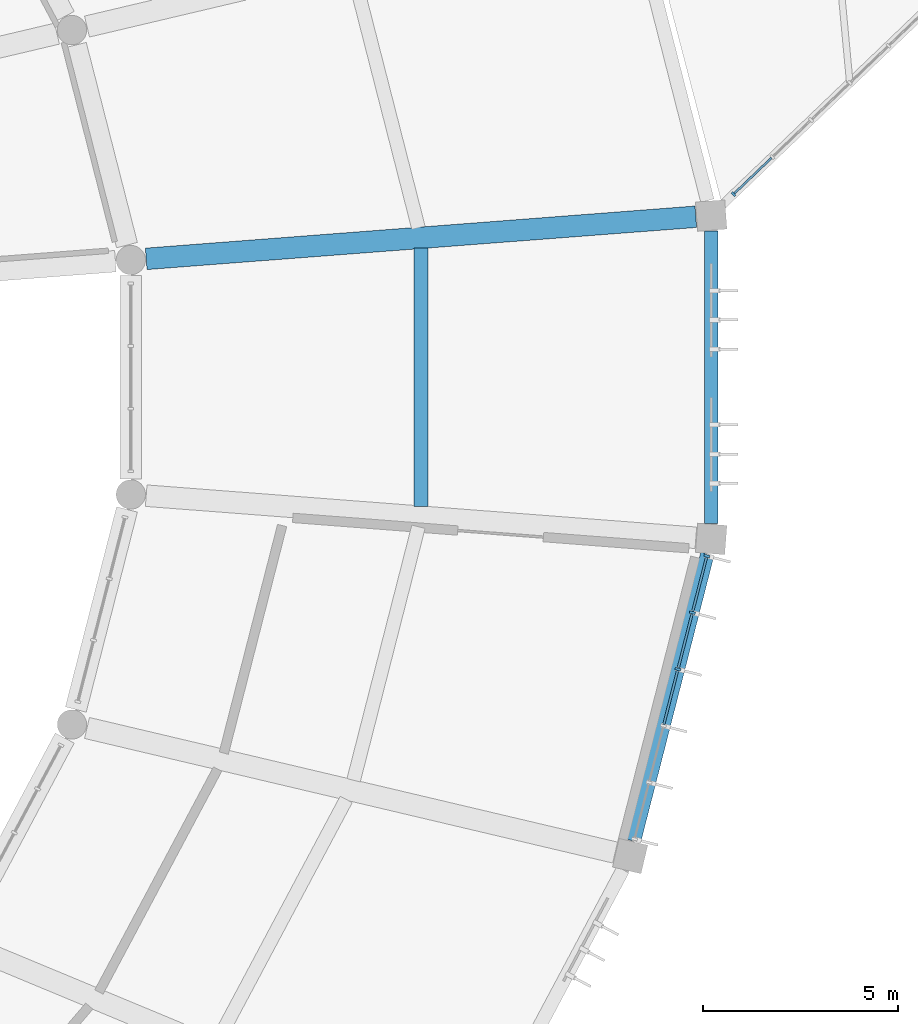
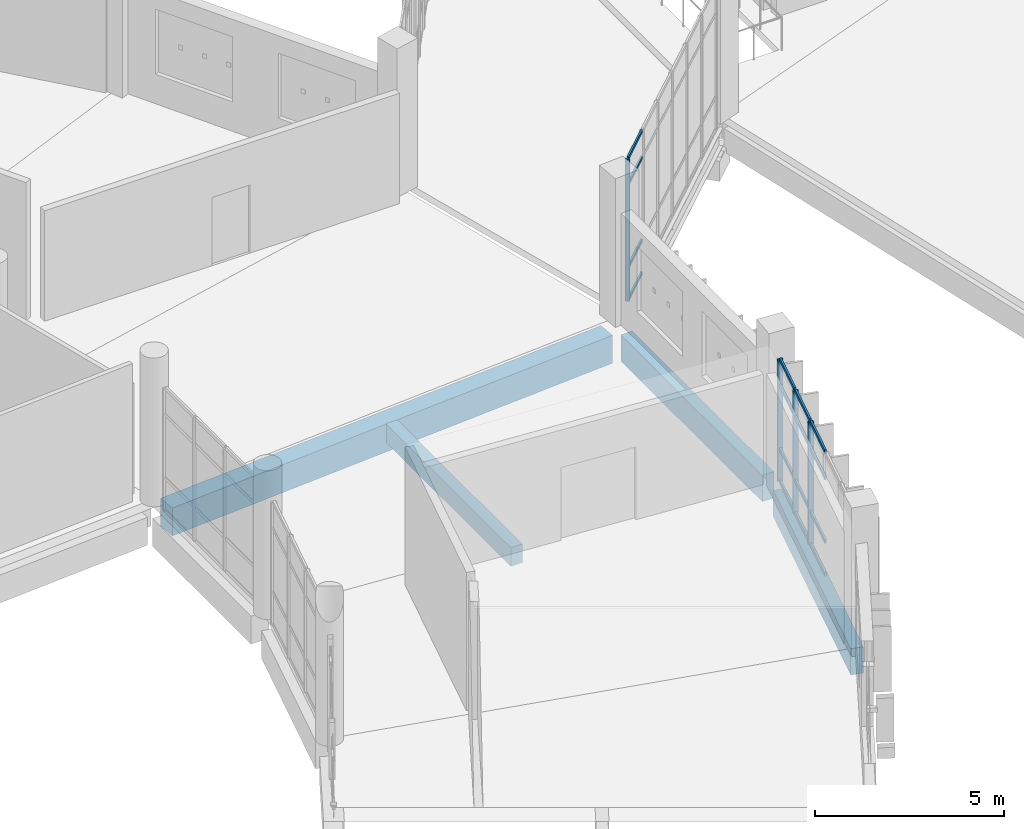
# One storey, part 46 of 179: 20 members, 4 beams, 2 elements without a shape of their own.
"""IFC4 building model written with IfcOpenShell, lengths in metres."""

from ifc_helpers import new_model, si_unit, direction, frame, origin, origin_2d, place, context, subcontext, project, spatial, rectangle, extrude, material, layer, layer_set, material_profile, profile_set, type_object, element, aggregate, save


model = new_model("IFC4")

# Units and contexts
model_context = context("Model", 3, precision=1e-05, world=origin(), true_north=direction((0.0, 1.0)))
body_context = subcontext(model_context, "Body", "Model", "MODEL_VIEW")
ifc_project = project(units=[si_unit("LENGTHUNIT", "METRE"), si_unit("AREAUNIT", "SQUARE_METRE"), si_unit("VOLUMEUNIT", "CUBIC_METRE"), si_unit("PLANEANGLEUNIT", "RADIAN"), si_unit("MASSUNIT", "GRAM", prefix="KILO")], contexts=[model_context])

# Site, building, storey
site_placement = place(None, origin())
site = spatial("IfcSite", under=ifc_project, at=site_placement, CompositionType="ELEMENT")
building_placement = place(site_placement, origin())
building = spatial("IfcBuilding", under=site, at=building_placement, Name="Corvandel Quay Wholesale Market", CompositionType="ELEMENT")
storey_placement = place(building_placement, frame((0.0, 0.0, 6.0)))
storey = spatial("IfcBuildingStorey", under=building, at=storey_placement, Name="L01", CompositionType="ELEMENT", Elevation=6.0)

# Curtain wall, members
ifc_material_1 = material(Name="Bronze anodised aluminium and low-E insulated glazing", Category="aluminium")
ifc_layer_1 = layer(ifc_material_1, 0.14990234375)
ifc_layer_set_1 = layer_set([ifc_layer_1], Name="Bronze anodised aluminium and low-E insulated glazing")
curtain_wall_type_1 = type_object("IfcCurtainWallType", Name="Stick Curtain Wall System CW25 H5250", PredefinedType="NOTDEFINED", material=ifc_layer_set_1)
curtain_wall_1_placement = place(storey_placement, origin())
curtain_wall_1 = element("IfcCurtainWall", 1, at=curtain_wall_1_placement, inside=storey, type_object=curtain_wall_type_1, Name="Curtain Wall CW-0176", PredefinedType="NOTDEFINED")
ifc_material_2 = material(Name="Anodised aluminium 6063-T6", Category="aluminium")
ifc_material_profile_1 = material_profile(ifc_material_2, rectangle(XDim=0.06005859375, YDim=0.1298828125, at=origin_2d()), Name="ALU-MUL-60x130")
ifc_profile_set_1 = profile_set([ifc_material_profile_1], Name="Anodised aluminium 6063-T6")
member_type_1 = type_object("IfcMemberType", Name="Clerestory Mullion ML03 60x130", PredefinedType="MULLION", material=ifc_profile_set_1)
member_1_placement = place(storey_placement, frame((168.570556640625, 46.683349609375, -0.030029296875), z_axis=(0.0, 0.0, 1.0), x_axis=(0.72236396206, 0.691513055782, 0.0)))
member_1 = element("IfcMember", 2, at=member_1_placement, type_object=member_type_1, Name="Mullion CW-0176-M00", PredefinedType="MULLION", context=body_context, shape_type="SweptSolid", body=[
    extrude(rectangle(XDim=0.06005859375, YDim=0.1298828125, at=origin_2d()), origin(), (0.0, 0.0, 1.0), 4.580078125),
])
ifc_material_profile_2 = material_profile(ifc_material_2, rectangle(XDim=0.054931640625, YDim=0.094970703125, at=origin_2d()), Name="ALU-TRN-55x95")
ifc_profile_set_2 = profile_set([ifc_material_profile_2], Name="Anodised aluminium 6063-T6")
member_type_2 = type_object("IfcMemberType", Name="Clerestory Transom TR03 55x95", PredefinedType="USERDEFINED", material=ifc_profile_set_2)
member_2_placement = place(storey_placement, frame((168.59228515625, 46.7041015625, -0.030029296875), z_axis=(0.722286262994, 0.691594212158, 0.0), x_axis=(-0.691594212158, 0.722286262994, 0.0)))
member_2 = element("IfcMember", 3, at=member_2_placement, type_object=member_type_2, Name="Transom CW-0176-T00-0", ObjectType="TRANSOM", PredefinedType="USERDEFINED", context=body_context, shape_type="SweptSolid", body=[
    extrude(rectangle(XDim=0.054931640625, YDim=0.094970703125, at=origin_2d()), origin(), (0.0, 0.0, 1.0), 1.3125),
])
member_3_placement = place(storey_placement, frame((168.59228515625, 46.7041015625, 1.02001953125), z_axis=(0.722286262994, 0.691594212158, 0.0), x_axis=(-0.691594212158, 0.722286262994, 0.0)))
member_3 = element("IfcMember", 4, at=member_3_placement, type_object=member_type_2, Name="Transom CW-0176-T00-1", ObjectType="TRANSOM", PredefinedType="USERDEFINED", context=body_context, shape_type="SweptSolid", body=[
    extrude(rectangle(XDim=0.054931640625, YDim=0.094970703125, at=origin_2d()), origin(), (0.0, 0.0, 1.0), 1.3125),
])
member_4_placement = place(storey_placement, frame((168.59228515625, 46.7041015625, 3.699951171875), z_axis=(0.722286262994, 0.691594212158, 0.0), x_axis=(-0.691594212158, 0.722286262994, 0.0)))
member_4 = element("IfcMember", 5, at=member_4_placement, type_object=member_type_2, Name="Transom CW-0176-T00-2", ObjectType="TRANSOM", PredefinedType="USERDEFINED", context=body_context, shape_type="SweptSolid", body=[
    extrude(rectangle(XDim=0.054931640625, YDim=0.094970703125, at=origin_2d()), origin(), (0.0, 0.0, 1.0), 1.3125),
])
member_5_placement = place(storey_placement, frame((168.59228515625, 46.7041015625, 4.550048828125), z_axis=(0.722286262994, 0.691594212158, 0.0), x_axis=(-0.691594212158, 0.722286262994, 0.0)))
member_5 = element("IfcMember", 6, at=member_5_placement, type_object=member_type_2, Name="Transom CW-0176-T00-3", ObjectType="TRANSOM", PredefinedType="USERDEFINED", context=body_context, shape_type="SweptSolid", body=[
    extrude(rectangle(XDim=0.054931640625, YDim=0.094970703125, at=origin_2d()), origin(), (0.0, 0.0, 1.0), 1.3125),
])
aggregate(curtain_wall_1, [member_1, member_2, member_3, member_4, member_5])

ifc_layer_2 = layer(ifc_material_1, 0.174072265625)
ifc_layer_set_2 = layer_set([ifc_layer_2], Name="Bronze anodised aluminium and low-E insulated glazing")
curtain_wall_type_2 = type_object("IfcCurtainWallType", Name="Stick Curtain Wall System CW07 H3630", PredefinedType="NOTDEFINED", material=ifc_layer_set_2)
curtain_wall_2_placement = place(storey_placement, origin())
curtain_wall_2 = element("IfcCurtainWall", 7, at=curtain_wall_2_placement, inside=storey, type_object=curtain_wall_type_2, Name="Curtain Wall CW-0088", PredefinedType="NOTDEFINED")
ifc_material_profile_3 = material_profile(ifc_material_2, rectangle(XDim=0.06494140625, YDim=0.14990234375, at=origin_2d()), Name="ALU-MUL-65x150")
ifc_profile_set_3 = profile_set([ifc_material_profile_3], Name="Anodised aluminium 6063-T6")
member_type_3 = type_object("IfcMemberType", Name="Curtain Wall Mullion ML02 65x150", PredefinedType="MULLION", material=ifc_profile_set_3)
member_6_placement = place(storey_placement, frame((167.147705078125, 34.5302734375, 0.0), z_axis=(0.0, 0.0, 1.0), x_axis=(0.247675453076, 0.968843057437, 0.0)))
member_6 = element("IfcMember", 8, at=member_6_placement, type_object=member_type_3, Name="Mullion CW-0088-M03", PredefinedType="MULLION", context=body_context, shape_type="SweptSolid", body=[
    extrude(rectangle(XDim=0.06494140625, YDim=0.14990234375, at=origin_2d()), origin(), (0.0, 0.0, 1.0), 3.949951171875),
])
member_7_placement = place(storey_placement, frame((167.51806640625, 35.978515625, 0.0), z_axis=(0.0, 0.0, 1.0), x_axis=(0.247675453076, 0.968843057437, 0.0)))
member_7 = element("IfcMember", 9, at=member_7_placement, type_object=member_type_3, Name="Mullion CW-0088-M04", PredefinedType="MULLION", context=body_context, shape_type="SweptSolid", body=[
    extrude(rectangle(XDim=0.06494140625, YDim=0.14990234375, at=origin_2d()), origin(), (0.0, 0.0, 1.0), 3.949951171875),
])
member_8_placement = place(storey_placement, frame((167.888427734375, 37.427001953125, 0.0), z_axis=(0.0, 0.0, 1.0), x_axis=(0.247675453076, 0.968843057437, 0.0)))
member_8 = element("IfcMember", 10, at=member_8_placement, type_object=member_type_3, Name="Mullion CW-0088-M05", PredefinedType="MULLION", context=body_context, shape_type="SweptSolid", body=[
    extrude(rectangle(XDim=0.06494140625, YDim=0.14990234375, at=origin_2d()), origin(), (0.0, 0.0, 1.0), 3.949951171875),
])
ifc_material_profile_4 = material_profile(ifc_material_2, rectangle(XDim=0.06005859375, YDim=0.110107421875, at=origin_2d()), Name="ALU-TRN-60x110")
ifc_profile_set_4 = profile_set([ifc_material_profile_4], Name="Anodised aluminium 6063-T6")
member_type_4 = type_object("IfcMemberType", Name="Curtain Wall Transom TR02 60x110", PredefinedType="USERDEFINED", material=ifc_profile_set_4)
member_9_placement = place(storey_placement, frame((166.785400390625, 33.11328125, 0.0), z_axis=(0.24771400443, 0.968833201335, 0.0), x_axis=(-0.968833201335, 0.24771400443, 0.0)))
member_9 = element("IfcMember", 11, at=member_9_placement, type_object=member_type_4, Name="Transom CW-0088-T02-0", ObjectType="TRANSOM", PredefinedType="USERDEFINED", context=body_context, shape_type="SweptSolid", body=[
    extrude(rectangle(XDim=0.06005859375, YDim=0.110107421875, at=origin_2d()), origin(), (0.0, 0.0, 1.0), 1.43017578125),
])
member_10_placement = place(storey_placement, frame((166.785400390625, 33.11328125, 1.050048828125), z_axis=(0.24771400443, 0.968833201335, 0.0), x_axis=(-0.968833201335, 0.24771400443, 0.0)))
member_10 = element("IfcMember", 12, at=member_10_placement, type_object=member_type_4, Name="Transom CW-0088-T02-1", ObjectType="TRANSOM", PredefinedType="USERDEFINED", context=body_context, shape_type="SweptSolid", body=[
    extrude(rectangle(XDim=0.06005859375, YDim=0.110107421875, at=origin_2d()), origin(), (0.0, 0.0, 1.0), 1.43017578125),
])
member_11_placement = place(storey_placement, frame((166.785400390625, 33.11328125, 3.10009765625), z_axis=(0.24771400443, 0.968833201335, 0.0), x_axis=(-0.968833201335, 0.24771400443, 0.0)))
member_11 = element("IfcMember", 13, at=member_11_placement, type_object=member_type_4, Name="Transom CW-0088-T02-2", ObjectType="TRANSOM", PredefinedType="USERDEFINED", context=body_context, shape_type="SweptSolid", body=[
    extrude(rectangle(XDim=0.06005859375, YDim=0.110107421875, at=origin_2d()), origin(), (0.0, 0.0, 1.0), 1.43017578125),
])
member_12_placement = place(storey_placement, frame((166.785400390625, 33.11328125, 3.949951171875), z_axis=(0.24771400443, 0.968833201335, 0.0), x_axis=(-0.968833201335, 0.24771400443, 0.0)))
member_12 = element("IfcMember", 14, at=member_12_placement, type_object=member_type_4, Name="Transom CW-0088-T02-3", ObjectType="TRANSOM", PredefinedType="USERDEFINED", context=body_context, shape_type="SweptSolid", body=[
    extrude(rectangle(XDim=0.06005859375, YDim=0.110107421875, at=origin_2d()), origin(), (0.0, 0.0, 1.0), 1.43017578125),
])
member_13_placement = place(storey_placement, frame((167.15576171875, 34.561767578125, 0.0), z_axis=(0.247754982566, 0.968822723006, 0.0), x_axis=(-0.968822723006, 0.247754982566, 0.0)))
member_13 = element("IfcMember", 15, at=member_13_placement, type_object=member_type_4, Name="Transom CW-0088-T03-0", ObjectType="TRANSOM", PredefinedType="USERDEFINED", context=body_context, shape_type="SweptSolid", body=[
    extrude(rectangle(XDim=0.06005859375, YDim=0.110107421875, at=origin_2d()), origin(), (0.0, 0.0, 1.0), 1.429931640625),
])
member_14_placement = place(storey_placement, frame((167.15576171875, 34.561767578125, 1.050048828125), z_axis=(0.247754982566, 0.968822723006, 0.0), x_axis=(-0.968822723006, 0.247754982566, 0.0)))
member_14 = element("IfcMember", 16, at=member_14_placement, type_object=member_type_4, Name="Transom CW-0088-T03-1", ObjectType="TRANSOM", PredefinedType="USERDEFINED", context=body_context, shape_type="SweptSolid", body=[
    extrude(rectangle(XDim=0.06005859375, YDim=0.110107421875, at=origin_2d()), origin(), (0.0, 0.0, 1.0), 1.429931640625),
])
member_15_placement = place(storey_placement, frame((167.15576171875, 34.561767578125, 3.10009765625), z_axis=(0.247754982566, 0.968822723006, 0.0), x_axis=(-0.968822723006, 0.247754982566, 0.0)))
member_15 = element("IfcMember", 17, at=member_15_placement, type_object=member_type_4, Name="Transom CW-0088-T03-2", ObjectType="TRANSOM", PredefinedType="USERDEFINED", context=body_context, shape_type="SweptSolid", body=[
    extrude(rectangle(XDim=0.06005859375, YDim=0.110107421875, at=origin_2d()), origin(), (0.0, 0.0, 1.0), 1.429931640625),
])
member_16_placement = place(storey_placement, frame((167.15576171875, 34.561767578125, 3.949951171875), z_axis=(0.247754982566, 0.968822723006, 0.0), x_axis=(-0.968822723006, 0.247754982566, 0.0)))
member_16 = element("IfcMember", 18, at=member_16_placement, type_object=member_type_4, Name="Transom CW-0088-T03-3", ObjectType="TRANSOM", PredefinedType="USERDEFINED", context=body_context, shape_type="SweptSolid", body=[
    extrude(rectangle(XDim=0.06005859375, YDim=0.110107421875, at=origin_2d()), origin(), (0.0, 0.0, 1.0), 1.429931640625),
])
member_17_placement = place(storey_placement, frame((167.526123046875, 36.010009765625, 0.0), z_axis=(0.24771400443, 0.968833201335, 0.0), x_axis=(-0.968833201335, 0.24771400443, 0.0)))
member_17 = element("IfcMember", 19, at=member_17_placement, type_object=member_type_4, Name="Transom CW-0088-T04-0", ObjectType="TRANSOM", PredefinedType="USERDEFINED", context=body_context, shape_type="SweptSolid", body=[
    extrude(rectangle(XDim=0.06005859375, YDim=0.110107421875, at=origin_2d()), origin(), (0.0, 0.0, 1.0), 1.43017578125),
])
member_18_placement = place(storey_placement, frame((167.526123046875, 36.010009765625, 1.050048828125), z_axis=(0.24771400443, 0.968833201335, 0.0), x_axis=(-0.968833201335, 0.24771400443, 0.0)))
member_18 = element("IfcMember", 20, at=member_18_placement, type_object=member_type_4, Name="Transom CW-0088-T04-1", ObjectType="TRANSOM", PredefinedType="USERDEFINED", context=body_context, shape_type="SweptSolid", body=[
    extrude(rectangle(XDim=0.06005859375, YDim=0.110107421875, at=origin_2d()), origin(), (0.0, 0.0, 1.0), 1.43017578125),
])
member_19_placement = place(storey_placement, frame((167.526123046875, 36.010009765625, 3.10009765625), z_axis=(0.24771400443, 0.968833201335, 0.0), x_axis=(-0.968833201335, 0.24771400443, 0.0)))
member_19 = element("IfcMember", 21, at=member_19_placement, type_object=member_type_4, Name="Transom CW-0088-T04-2", ObjectType="TRANSOM", PredefinedType="USERDEFINED", context=body_context, shape_type="SweptSolid", body=[
    extrude(rectangle(XDim=0.06005859375, YDim=0.110107421875, at=origin_2d()), origin(), (0.0, 0.0, 1.0), 1.43017578125),
])
member_20_placement = place(storey_placement, frame((167.526123046875, 36.010009765625, 3.949951171875), z_axis=(0.24771400443, 0.968833201335, 0.0), x_axis=(-0.968833201335, 0.24771400443, 0.0)))
member_20 = element("IfcMember", 22, at=member_20_placement, type_object=member_type_4, Name="Transom CW-0088-T04-3", ObjectType="TRANSOM", PredefinedType="USERDEFINED", context=body_context, shape_type="SweptSolid", body=[
    extrude(rectangle(XDim=0.06005859375, YDim=0.110107421875, at=origin_2d()), origin(), (0.0, 0.0, 1.0), 1.43017578125),
])
aggregate(curtain_wall_2, [member_6, member_7, member_8, member_9, member_10, member_11, member_12, member_13, member_14, member_15, member_16, member_17, member_18, member_19, member_20])

# Beams
ifc_material_3 = material(Name="Precast concrete C45/55", Category="concrete")
ifc_material_profile_5 = material_profile(ifc_material_3, rectangle(XDim=0.35009765625, YDim=0.85009765625, at=origin_2d()), Name="PC-SPN-350x850")
ifc_profile_set_5 = profile_set([ifc_material_profile_5], Name="Precast concrete C45/55")
beam_type_1 = type_object("IfcBeamType", Name="Perimeter Precast Spandrel SP01 350x850", PredefinedType="SPANDREL", material=ifc_profile_set_5)
beam_1_placement = place(storey_placement, frame((166.02294921875, 30.131591796875, -0.72509765625), z_axis=(0.247742619066, 0.968825884614, 0.0), x_axis=(-0.968825884614, 0.247742619066, 0.0)))
element("IfcBeam", 23, at=beam_1_placement, inside=storey, type_object=beam_type_1, Name="Beam BM-0370", PredefinedType="SPANDREL", context=body_context, shape_type="SweptSolid", body=[
    extrude(rectangle(XDim=0.35009765625, YDim=0.85009765625, at=origin_2d()), origin(), (0.0, 0.0, 1.0), 7.585205078125),
])
beam_2_placement = place(storey_placement, frame((168.0, 38.258056640625, -0.72509765625), z_axis=(0.0, 1.0, 0.0), x_axis=(-1.0, 0.0, 0.0)))
element("IfcBeam", 24, at=beam_2_placement, inside=storey, type_object=beam_type_1, Name="Beam BM-0382", PredefinedType="SPANDREL", context=body_context, shape_type="SweptSolid", body=[
    extrude(rectangle(XDim=0.35009765625, YDim=0.85009765625, at=origin_2d()), origin(), (0.0, 0.0, 1.0), 7.48388671875),
])
ifc_material_profile_6 = material_profile(ifc_material_3, rectangle(XDim=0.550048828125, YDim=0.89990234375, at=origin_2d()), Name="PC-GIR-550x900")
ifc_profile_set_6 = profile_set([ifc_material_profile_6], Name="Precast concrete C45/55")
beam_type_2 = type_object("IfcBeamType", Name="Produce Hall Radial Girder G03 550x900", PredefinedType="USERDEFINED", material=ifc_profile_set_6)
beam_3_placement = place(storey_placement, frame((167.606201171875, 46.106689453125, -0.75), z_axis=(-0.997077960365, -0.076390712484, 0.0), x_axis=(0.076390712484, -0.997077960365, 0.0)))
element("IfcBeam", 25, at=beam_3_placement, inside=storey, type_object=beam_type_2, Name="Beam BM-0003", ObjectType="GIRDER", PredefinedType="USERDEFINED", context=body_context, shape_type="SweptSolid", body=[
    extrude(rectangle(XDim=0.550048828125, YDim=0.89990234375, at=origin_2d()), origin(), (0.0, 0.0, 1.0), 14.103759765625),
])
ifc_material_profile_7 = material_profile(ifc_material_3, rectangle(XDim=0.35009765625, YDim=0.60009765625, at=origin_2d()), Name="PC-BM-350x600")
ifc_profile_set_7 = profile_set([ifc_material_profile_7], Name="Precast concrete C45/55")
beam_type_3 = type_object("IfcBeamType", Name="Trading Gallery Secondary Beam B02 350x600", PredefinedType="BEAM", material=ifc_profile_set_7)
beam_4_placement = place(storey_placement, frame((160.574951171875, 38.697021484375, -0.60009765625), z_axis=(0.0, 1.0, 0.0), x_axis=(-1.0, 0.0, 0.0)))
element("IfcBeam", 26, at=beam_4_placement, inside=storey, type_object=beam_type_3, Name="Beam BM-0385", PredefinedType="BEAM", context=body_context, shape_type="SweptSolid", body=[
    extrude(rectangle(XDim=0.35009765625, YDim=0.60009765625, at=origin_2d()), origin(), (0.0, 0.0, 1.0), 6.60595703125),
])

save(model, "model.ifc")
